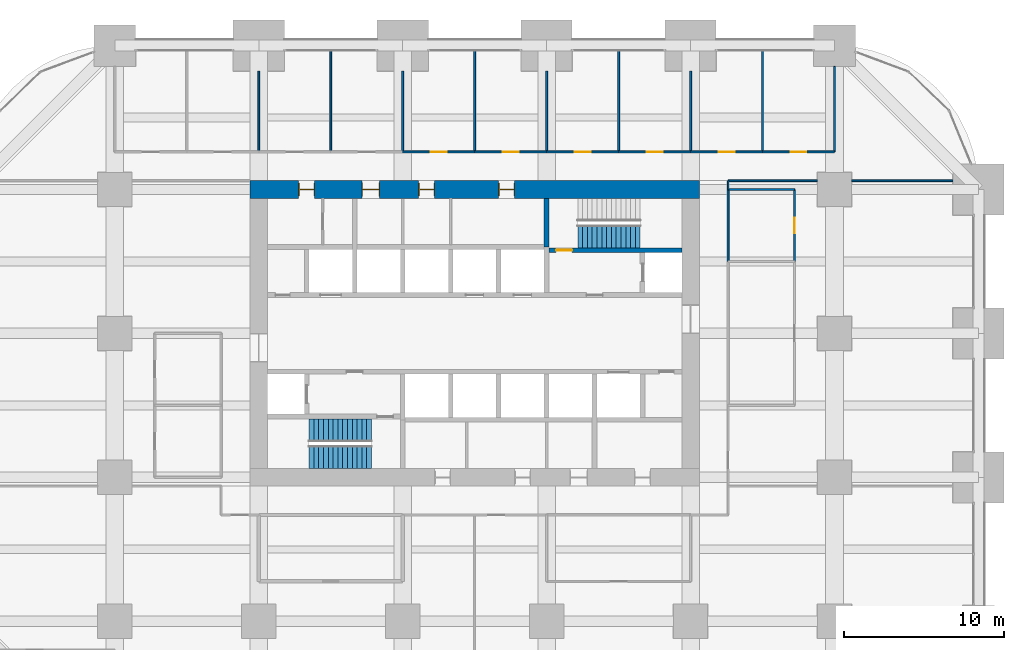
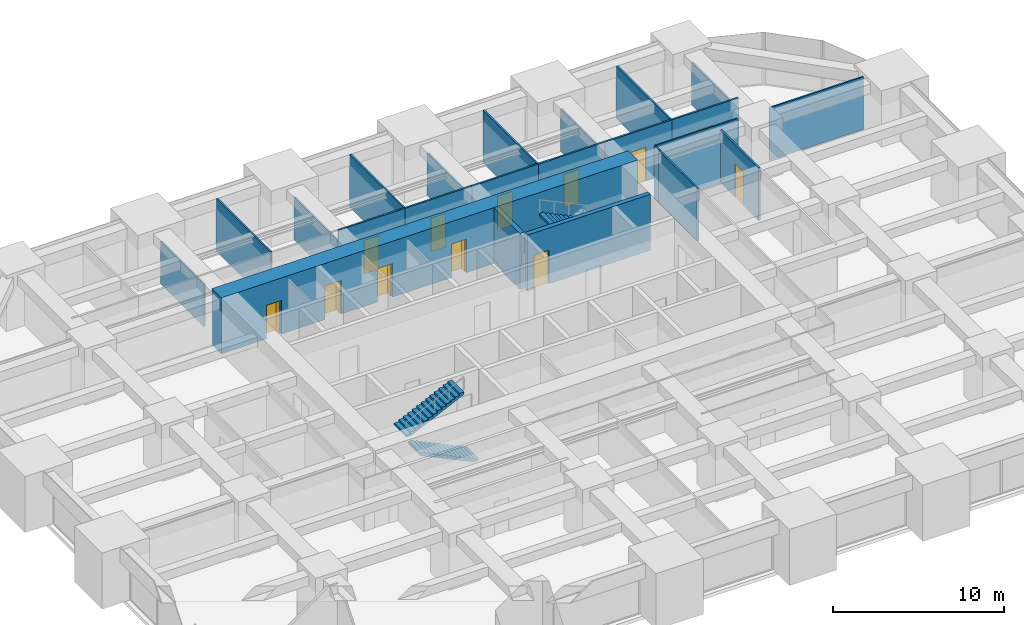
# One storey, part 39 of 41: 24 walls, 12 doors, 3 stair flights, 12 openings, 2 elements without a shape of their own.
"""IFC4 building model written with IfcOpenShell, lengths in metres."""

from ifc_helpers import new_model, si_unit, direction, frame, frame_2d, origin, place, context, subcontext, project, spatial, polyline, rectangle, outline, extrude, material, layer, layer_set, type_object, element, fill, aggregate, save


model = new_model("IFC4")

# Units and contexts
model_context = context("Model", 3, precision=1e-05, world=origin(), true_north=direction((0.0, 1.0)))
body_context = subcontext(model_context, "Body", "Model", "MODEL_VIEW")
ifc_project = project(units=[si_unit("LENGTHUNIT", "METRE"), si_unit("AREAUNIT", "SQUARE_METRE"), si_unit("VOLUMEUNIT", "CUBIC_METRE"), si_unit("PLANEANGLEUNIT", "RADIAN"), si_unit("MASSUNIT", "GRAM", prefix="KILO")], contexts=[model_context])

# Site, building, storey
site_placement = place(None, origin())
site = spatial("IfcSite", under=ifc_project, at=site_placement, CompositionType="ELEMENT")
building_placement = place(site_placement, origin())
building = spatial("IfcBuilding", under=site, at=building_placement, Name="Zorevar Civic Tower", CompositionType="ELEMENT")
storey_placement = place(building_placement, frame((0.0, 0.0, 89.0)))
storey = spatial("IfcBuildingStorey", under=building, at=storey_placement, Name="L21", CompositionType="ELEMENT", Elevation=89.0)

# Wall, openings, doors
ifc_material_1 = material(Name="Concrete C50/60", Category="concrete")
ifc_layer_1 = layer(ifc_material_1, 1.10009765625)
ifc_layer_set_1 = layer_set([ifc_layer_1], Name="Core wall 1100")
wall_type_1 = type_object("IfcWallType", Name="Core wall 1100", PredefinedType="SHEAR", material=ifc_layer_set_1)
wall_1_placement = place(storey_placement, frame((45.550048828125, 36.0, 0.0), z_axis=(0.0, 0.0, 1.0), x_axis=(-1.0, 0.0, 0.0)))
wall_1 = element("IfcWall", 1, at=wall_1_placement, inside=storey, type_object=wall_type_1, Name="Core wall N L21", PredefinedType="SHEAR", context=body_context, shape_type="SweptSolid", body=[
    extrude(rectangle(XDim=28.10009765625, YDim=1.10009765625, at=frame_2d((14.050048828125, 0.0))), origin(), (0.0, 0.0, 1.0), 4.0),
])
opening_1_placement = place(wall_1_placement, frame((11.550048828125, 0.0, 0.0)))
opening_1 = element("IfcOpeningElement", 2, at=opening_1_placement, cuts=wall_1, Name="Opening L21.07", PredefinedType="OPENING", context=body_context, shape_type="SweptSolid", body=[
    extrude(rectangle(XDim=1.0, YDim=2.39990234375, at=frame_2d((0.5, 1.199951171875))), frame((0.0, 0.56005859375, 0.0), z_axis=(0.0, -1.0, 0.0), x_axis=(1.0, 0.0, 0.0)), (0.0, 0.0, 1.0), 1.1201171875),
])
opening_2_placement = place(wall_1_placement, frame((16.550048828125, 0.0, 0.0)))
opening_2 = element("IfcOpeningElement", 3, at=opening_2_placement, cuts=wall_1, Name="Opening L21.08", PredefinedType="OPENING", context=body_context, shape_type="SweptSolid", body=[
    extrude(rectangle(XDim=1.0, YDim=2.39990234375, at=frame_2d((0.5, 1.199951171875))), frame((0.0, 0.56005859375, 0.0), z_axis=(0.0, -1.0, 0.0), x_axis=(1.0, 0.0, 0.0)), (0.0, 0.0, 1.0), 1.1201171875),
])
opening_3_placement = place(wall_1_placement, frame((20.0, 0.0, 0.0)))
opening_3 = element("IfcOpeningElement", 4, at=opening_3_placement, cuts=wall_1, Name="Opening L21.09", PredefinedType="OPENING", context=body_context, shape_type="SweptSolid", body=[
    extrude(rectangle(XDim=1.10009765625, YDim=2.39990234375, at=frame_2d((0.550048828125, 1.199951171875))), frame((0.0, 0.56005859375, 0.0), z_axis=(0.0, -1.0, 0.0), x_axis=(1.0, 0.0, 0.0)), (0.0, 0.0, 1.0), 1.1201171875),
])
opening_4_placement = place(wall_1_placement, frame((24.050048828125, 0.0, 0.0)))
opening_4 = element("IfcOpeningElement", 5, at=opening_4_placement, cuts=wall_1, Name="Opening L21.10", PredefinedType="OPENING", context=body_context, shape_type="SweptSolid", body=[
    extrude(rectangle(XDim=1.0, YDim=2.39990234375, at=frame_2d((0.5, 1.199951171875))), frame((0.0, 0.56005859375, 0.0), z_axis=(0.0, -1.0, 0.0), x_axis=(1.0, 0.0, 0.0)), (0.0, 0.0, 1.0), 1.1201171875),
])
ifc_material_2 = material(Name="Timber door set", Category="wood")
door_type_1 = type_object("IfcDoorType", Name="Door D1 1000x2400", OperationType="SINGLE_SWING_LEFT", PredefinedType="DOOR", material=ifc_material_2)
door_1_placement = place(opening_1_placement, origin())
door_1 = element("IfcDoor", 6, at=door_1_placement, inside=storey, type_object=door_type_1, Name="Door L21 06", OperationType="SINGLE_SWING_LEFT", OverallHeight=2.39990234375, OverallWidth=1.0, PredefinedType="DOOR", context=body_context, shape_type="SweptSolid", body=[
    extrude(rectangle(XDim=1.0, YDim=2.39990234375, at=frame_2d((0.5, 1.199951171875))), frame((0.0, 0.02490234375, 0.0), z_axis=(0.0, -1.0, 0.0), x_axis=(1.0, 0.0, 0.0)), (0.0, 0.0, 1.0), 0.050048828125),
    extrude(rectangle(XDim=0.04, YDim=2.39990234375, at=frame_2d((0.02001953125, 1.199951171875))), frame((0.0, 0.39990234375, 0.0), z_axis=(0.0, -1.0, 0.0), x_axis=(1.0, 0.0, 0.0)), (0.0, 0.0, 1.0), 0.800048828125),
    extrude(rectangle(XDim=0.04, YDim=2.39990234375, at=frame_2d((0.97998046875, 1.199951171875))), frame((0.0, 0.39990234375, 0.0), z_axis=(0.0, -1.0, 0.0), x_axis=(1.0, 0.0, 0.0)), (0.0, 0.0, 1.0), 0.800048828125),
    extrude(rectangle(XDim=1.0, YDim=0.04, at=frame_2d((0.5, 2.3798828125))), frame((0.0, 0.39990234375, 0.0), z_axis=(0.0, -1.0, 0.0), x_axis=(1.0, 0.0, 0.0)), (0.0, 0.0, 1.0), 0.800048828125),
])
fill(opening_1, door_1)
door_2_placement = place(opening_2_placement, origin())
door_2 = element("IfcDoor", 7, at=door_2_placement, inside=storey, type_object=door_type_1, Name="Door L21 07", OperationType="SINGLE_SWING_RIGHT", OverallHeight=2.39990234375, OverallWidth=1.0, PredefinedType="DOOR", context=body_context, shape_type="SweptSolid", body=[
    extrude(rectangle(XDim=1.0, YDim=2.39990234375, at=frame_2d((0.5, 1.199951171875))), frame((0.0, 0.02490234375, 0.0), z_axis=(0.0, -1.0, 0.0), x_axis=(1.0, 0.0, 0.0)), (0.0, 0.0, 1.0), 0.050048828125),
    extrude(rectangle(XDim=0.04, YDim=2.39990234375, at=frame_2d((0.02001953125, 1.199951171875))), frame((0.0, 0.39990234375, 0.0), z_axis=(0.0, -1.0, 0.0), x_axis=(1.0, 0.0, 0.0)), (0.0, 0.0, 1.0), 0.800048828125),
    extrude(rectangle(XDim=0.04, YDim=2.39990234375, at=frame_2d((0.97998046875, 1.199951171875))), frame((0.0, 0.39990234375, 0.0), z_axis=(0.0, -1.0, 0.0), x_axis=(1.0, 0.0, 0.0)), (0.0, 0.0, 1.0), 0.800048828125),
    extrude(rectangle(XDim=1.0, YDim=0.04, at=frame_2d((0.5, 2.3798828125))), frame((0.0, 0.39990234375, 0.0), z_axis=(0.0, -1.0, 0.0), x_axis=(1.0, 0.0, 0.0)), (0.0, 0.0, 1.0), 0.800048828125),
])
fill(opening_2, door_2)
door_3_placement = place(opening_4_placement, origin())
door_3 = element("IfcDoor", 8, at=door_3_placement, inside=storey, type_object=door_type_1, Name="Door L21 09", OperationType="SINGLE_SWING_RIGHT", OverallHeight=2.39990234375, OverallWidth=1.0, PredefinedType="DOOR", context=body_context, shape_type="SweptSolid", body=[
    extrude(rectangle(XDim=1.0, YDim=2.39990234375, at=frame_2d((0.5, 1.199951171875))), frame((0.0, 0.02490234375, 0.0), z_axis=(0.0, -1.0, 0.0), x_axis=(1.0, 0.0, 0.0)), (0.0, 0.0, 1.0), 0.050048828125),
    extrude(rectangle(XDim=0.04, YDim=2.39990234375, at=frame_2d((0.02001953125, 1.199951171875))), frame((0.0, 0.39990234375, 0.0), z_axis=(0.0, -1.0, 0.0), x_axis=(1.0, 0.0, 0.0)), (0.0, 0.0, 1.0), 0.800048828125),
    extrude(rectangle(XDim=0.04, YDim=2.39990234375, at=frame_2d((0.97998046875, 1.199951171875))), frame((0.0, 0.39990234375, 0.0), z_axis=(0.0, -1.0, 0.0), x_axis=(1.0, 0.0, 0.0)), (0.0, 0.0, 1.0), 0.800048828125),
    extrude(rectangle(XDim=1.0, YDim=0.04, at=frame_2d((0.5, 2.3798828125))), frame((0.0, 0.39990234375, 0.0), z_axis=(0.0, -1.0, 0.0), x_axis=(1.0, 0.0, 0.0)), (0.0, 0.0, 1.0), 0.800048828125),
])
fill(opening_4, door_3)
ifc_material_3 = material(Name="Timber door set", Category="wood")
door_type_2 = type_object("IfcDoorType", Name="Door D5 1100x2400", OperationType="SINGLE_SWING_LEFT", PredefinedType="DOOR", material=ifc_material_3)
door_4_placement = place(opening_3_placement, origin())
door_4 = element("IfcDoor", 9, at=door_4_placement, inside=storey, type_object=door_type_2, Name="Door L21 08", OperationType="SINGLE_SWING_RIGHT", OverallHeight=2.39990234375, OverallWidth=1.10009765625, PredefinedType="DOOR", context=body_context, shape_type="SweptSolid", body=[
    extrude(rectangle(XDim=1.10009765625, YDim=2.39990234375, at=frame_2d((0.550048828125, 1.199951171875))), frame((0.0, 0.02490234375, 0.0), z_axis=(0.0, -1.0, 0.0), x_axis=(1.0, 0.0, 0.0)), (0.0, 0.0, 1.0), 0.050048828125),
    extrude(rectangle(XDim=0.04, YDim=2.39990234375, at=frame_2d((0.02001953125, 1.199951171875))), frame((0.0, 0.43994140625, 0.0), z_axis=(0.0, -1.0, 0.0), x_axis=(1.0, 0.0, 0.0)), (0.0, 0.0, 1.0), 0.880126953125),
    extrude(rectangle(XDim=0.04, YDim=2.39990234375, at=frame_2d((1.080078125, 1.199951171875))), frame((0.0, 0.43994140625, 0.0), z_axis=(0.0, -1.0, 0.0), x_axis=(1.0, 0.0, 0.0)), (0.0, 0.0, 1.0), 0.880126953125),
    extrude(rectangle(XDim=1.10009765625, YDim=0.04, at=frame_2d((0.550048828125, 2.3798828125))), frame((0.0, 0.43994140625, 0.0), z_axis=(0.0, -1.0, 0.0), x_axis=(1.0, 0.0, 0.0)), (0.0, 0.0, 1.0), 0.880126953125),
])
fill(opening_3, door_4)

# Walls
ifc_material_4 = material(Name="Laminated glass in black aluminium frame", Category="aluminium")
ifc_layer_2 = layer(ifc_material_4, 0.10009765625)
ifc_layer_set_2 = layer_set([ifc_layer_2], Name="Glazed partition 100")
wall_type_2 = type_object("IfcWallType", Name="Glazed partition 100", PredefinedType="PARTITIONING", material=ifc_layer_set_2)
wall_2_placement = place(storey_placement, frame((47.35009765625, 36.550048828125, 0.0), z_axis=(0.0, 0.0, 1.0), x_axis=(1.0, 0.0, 0.0)))
element("IfcWall", 10, at=wall_2_placement, inside=storey, type_object=wall_type_2, Name="Glazed partition 100 L21", PredefinedType="PARTITIONING", context=body_context, shape_type="SweptSolid", body=[
    extrude(rectangle(XDim=5.574951171875, YDim=0.10009765625, at=frame_2d((2.78759765625, 0.0))), origin(), (0.0, 0.0, 1.0), 3.75),
])
wall_3_placement = place(storey_placement, frame((55.074951171875, 36.550048828125, 0.0), z_axis=(0.0, 0.0, 1.0), x_axis=(1.0, 0.0, 0.0)))
element("IfcWall", 11, at=wall_3_placement, inside=storey, type_object=wall_type_2, Name="Glazed partition 100 L21", PredefinedType="PARTITIONING", context=body_context, shape_type="SweptSolid", body=[
    extrude(rectangle(XDim=6.324951171875, YDim=0.10009765625, at=frame_2d((3.16259765625, 0.0))), origin(), (0.0, 0.0, 1.0), 3.75),
])
wall_4_placement = place(storey_placement, frame((47.35009765625, 36.0, 0.0), z_axis=(0.0, 0.0, 1.0), x_axis=(0.0, 1.0, 0.0)))
element("IfcWall", 12, at=wall_4_placement, inside=storey, type_object=wall_type_2, Name="Glazed partition 100 L21", PredefinedType="PARTITIONING", context=body_context, shape_type="SweptSolid", body=[
    extrude(rectangle(XDim=0.550048828125, YDim=0.10009765625, at=frame_2d((0.27490234375, 0.0))), origin(), (0.0, 0.0, 1.0), 3.75),
])

# Wall, opening, door
ifc_material_5 = material(Name="Concrete C40/50", Category="concrete")
ifc_layer_3 = layer(ifc_material_5, 0.300048828125)
ifc_layer_set_3 = layer_set([ifc_layer_3], Name="Inner core wall 300")
wall_type_3 = type_object("IfcWallType", Name="Inner core wall 300", PredefinedType="SHEAR", material=ifc_layer_set_3)
wall_5_placement = place(storey_placement, frame((36.14990234375, 32.199951171875, 0.0), z_axis=(0.0, 0.0, 1.0), x_axis=(1.0, 0.0, 0.0)))
wall_5 = element("IfcWall", 13, at=wall_5_placement, inside=storey, type_object=wall_type_3, Name="Inner core wall N00 L21", PredefinedType="SHEAR", context=body_context, shape_type="SweptSolid", body=[
    extrude(rectangle(XDim=8.300048828125, YDim=0.300048828125, at=frame_2d((4.14990234375, 0.0))), origin(), (0.0, 0.0, 1.0), 4.0),
])
opening_5_placement = place(wall_5_placement, frame((0.449951171875, 0.0, 0.0)))
opening_5 = element("IfcOpeningElement", 14, at=opening_5_placement, cuts=wall_5, Name="Opening L21.12", PredefinedType="OPENING", context=body_context, shape_type="SweptSolid", body=[
    extrude(rectangle(XDim=1.0, YDim=2.39990234375, at=frame_2d((0.5, 1.199951171875))), frame((0.0, 0.159912109375, 0.0), z_axis=(0.0, -1.0, 0.0), x_axis=(1.0, 0.0, 0.0)), (0.0, 0.0, 1.0), 0.320068359375),
])
ifc_material_6 = material(Name="Steel door set", Category="steel")
door_type_3 = type_object("IfcDoorType", Name="Fire door FD1 1000x2400", OperationType="SINGLE_SWING_LEFT", PredefinedType="DOOR", material=ifc_material_6)
door_5_placement = place(opening_5_placement, origin())
door_5 = element("IfcDoor", 15, at=door_5_placement, inside=storey, type_object=door_type_3, Name="Door L21 11", OperationType="SINGLE_SWING_RIGHT", OverallHeight=2.39990234375, OverallWidth=1.0, PredefinedType="DOOR", context=body_context, shape_type="SweptSolid", body=[
    extrude(rectangle(XDim=1.0, YDim=2.39990234375, at=frame_2d((0.5, 1.199951171875))), frame((0.0, 0.030029296875, 0.0), z_axis=(0.0, -1.0, 0.0), x_axis=(1.0, 0.0, 0.0)), (0.0, 0.0, 1.0), 0.06005859375),
])
fill(opening_5, door_5)

# Walls
wall_6_placement = place(storey_placement, frame((36.0, 32.39990234375, 0.0), z_axis=(0.0, 0.0, 1.0), x_axis=(0.0, 1.0, 0.0)))
element("IfcWall", 16, at=wall_6_placement, inside=storey, type_object=wall_type_3, Name="Inner core wall N01 L21", PredefinedType="SHEAR", context=body_context, shape_type="SweptSolid", body=[
    extrude(rectangle(XDim=3.050048828125, YDim=0.300048828125, at=frame_2d((1.52490234375, 0.0))), origin(), (0.0, 0.0, 1.0), 4.0),
])
ifc_material_7 = material(Name="Gypsum board on steel studs", Category="steel")
ifc_layer_4 = layer(ifc_material_7, 0.1201171875)
ifc_layer_set_4 = layer_set([ifc_layer_4], Name="Partition 120")
wall_type_4 = type_object("IfcWallType", Name="Partition 120", PredefinedType="PARTITIONING", material=ifc_layer_set_4)
wall_7_placement = place(storey_placement, frame((47.35009765625, 36.0, 0.0), z_axis=(0.0, 0.0, 1.0), x_axis=(1.0, 0.0, 0.0)))
element("IfcWall", 17, at=wall_7_placement, inside=storey, type_object=wall_type_4, Name="Partition 120 L21", PredefinedType="PARTITIONING", context=body_context, shape_type="SweptSolid", body=[
    extrude(rectangle(XDim=4.14990234375, YDim=0.1201171875, at=frame_2d((2.074951171875, 0.0))), origin(), (0.0, 0.0, 1.0), 3.050048828125),
])

# Wall, opening, door
wall_8_placement = place(storey_placement, frame((27.0, 38.35009765625, 0.0), z_axis=(0.0, 0.0, 1.0), x_axis=(1.0, 0.0, 0.0)))
wall_8 = element("IfcWall", 18, at=wall_8_placement, inside=storey, type_object=wall_type_4, Name="Partition 120 L21", PredefinedType="PARTITIONING", context=body_context, shape_type="SweptSolid", body=[
    extrude(rectangle(XDim=4.5, YDim=0.1201171875, at=frame_2d((2.25, 0.0))), origin(), (0.0, 0.0, 1.0), 3.75),
])
opening_6_placement = place(wall_8_placement, frame((1.75, 0.0, 0.0)))
opening_6 = element("IfcOpeningElement", 19, at=opening_6_placement, cuts=wall_8, Name="Opening L21.26", PredefinedType="OPENING", context=body_context, shape_type="SweptSolid", body=[
    extrude(rectangle(XDim=1.0, YDim=2.39990234375, at=frame_2d((0.5, 1.199951171875))), frame((0.0, 0.070068359375, 0.0), z_axis=(0.0, -1.0, 0.0), x_axis=(1.0, 0.0, 0.0)), (0.0, 0.0, 1.0), 0.14013671875),
])
door_6_placement = place(opening_6_placement, origin())
door_6 = element("IfcDoor", 20, at=door_6_placement, inside=storey, type_object=door_type_1, Name="Door L21 D1", OperationType="SINGLE_SWING_LEFT", OverallHeight=2.39990234375, OverallWidth=1.0, PredefinedType="DOOR", context=body_context, shape_type="SweptSolid", body=[
    extrude(rectangle(XDim=1.0, YDim=2.39990234375, at=frame_2d((0.5, 1.199951171875))), frame((0.0, 0.02490234375, 0.0), z_axis=(0.0, -1.0, 0.0), x_axis=(1.0, 0.0, 0.0)), (0.0, 0.0, 1.0), 0.050048828125),
])
fill(opening_6, door_6)

wall_9_placement = place(storey_placement, frame((31.5, 38.35009765625, 0.0), z_axis=(0.0, 0.0, 1.0), x_axis=(1.0, 0.0, 0.0)))
wall_9 = element("IfcWall", 21, at=wall_9_placement, inside=storey, type_object=wall_type_4, Name="Partition 120 L21", PredefinedType="PARTITIONING", context=body_context, shape_type="SweptSolid", body=[
    extrude(rectangle(XDim=4.5, YDim=0.1201171875, at=frame_2d((2.25, 0.0))), origin(), (0.0, 0.0, 1.0), 3.75),
])
opening_7_placement = place(wall_9_placement, frame((1.75, 0.0, 0.0)))
opening_7 = element("IfcOpeningElement", 22, at=opening_7_placement, cuts=wall_9, Name="Opening L21.27", PredefinedType="OPENING", context=body_context, shape_type="SweptSolid", body=[
    extrude(rectangle(XDim=1.0, YDim=2.39990234375, at=frame_2d((0.5, 1.199951171875))), frame((0.0, 0.070068359375, 0.0), z_axis=(0.0, -1.0, 0.0), x_axis=(1.0, 0.0, 0.0)), (0.0, 0.0, 1.0), 0.14013671875),
])
door_7_placement = place(opening_7_placement, origin())
door_7 = element("IfcDoor", 23, at=door_7_placement, inside=storey, type_object=door_type_1, Name="Door L21 D1", OperationType="SINGLE_SWING_RIGHT", OverallHeight=2.39990234375, OverallWidth=1.0, PredefinedType="DOOR", context=body_context, shape_type="SweptSolid", body=[
    extrude(rectangle(XDim=1.0, YDim=2.39990234375, at=frame_2d((0.5, 1.199951171875))), frame((0.0, 0.02490234375, 0.0), z_axis=(0.0, -1.0, 0.0), x_axis=(1.0, 0.0, 0.0)), (0.0, 0.0, 1.0), 0.050048828125),
])
fill(opening_7, door_7)

wall_10_placement = place(storey_placement, frame((36.0, 38.35009765625, 0.0), z_axis=(0.0, 0.0, 1.0), x_axis=(1.0, 0.0, 0.0)))
wall_10 = element("IfcWall", 24, at=wall_10_placement, inside=storey, type_object=wall_type_4, Name="Partition 120 L21", PredefinedType="PARTITIONING", context=body_context, shape_type="SweptSolid", body=[
    extrude(rectangle(XDim=4.5, YDim=0.1201171875, at=frame_2d((2.25, 0.0))), origin(), (0.0, 0.0, 1.0), 3.75),
])
opening_8_placement = place(wall_10_placement, frame((1.75, 0.0, 0.0)))
opening_8 = element("IfcOpeningElement", 25, at=opening_8_placement, cuts=wall_10, Name="Opening L21.28", PredefinedType="OPENING", context=body_context, shape_type="SweptSolid", body=[
    extrude(rectangle(XDim=1.0, YDim=2.39990234375, at=frame_2d((0.5, 1.199951171875))), frame((0.0, 0.070068359375, 0.0), z_axis=(0.0, -1.0, 0.0), x_axis=(1.0, 0.0, 0.0)), (0.0, 0.0, 1.0), 0.14013671875),
])
door_8_placement = place(opening_8_placement, origin())
door_8 = element("IfcDoor", 26, at=door_8_placement, inside=storey, type_object=door_type_1, Name="Door L21 D1", OperationType="SINGLE_SWING_RIGHT", OverallHeight=2.39990234375, OverallWidth=1.0, PredefinedType="DOOR", context=body_context, shape_type="SweptSolid", body=[
    extrude(rectangle(XDim=1.0, YDim=2.39990234375, at=frame_2d((0.5, 1.199951171875))), frame((0.0, 0.02490234375, 0.0), z_axis=(0.0, -1.0, 0.0), x_axis=(1.0, 0.0, 0.0)), (0.0, 0.0, 1.0), 0.050048828125),
])
fill(opening_8, door_8)

wall_11_placement = place(storey_placement, frame((40.5, 38.35009765625, 0.0), z_axis=(0.0, 0.0, 1.0), x_axis=(1.0, 0.0, 0.0)))
wall_11 = element("IfcWall", 27, at=wall_11_placement, inside=storey, type_object=wall_type_4, Name="Partition 120 L21", PredefinedType="PARTITIONING", context=body_context, shape_type="SweptSolid", body=[
    extrude(rectangle(XDim=4.5, YDim=0.1201171875, at=frame_2d((2.25, 0.0))), origin(), (0.0, 0.0, 1.0), 3.75),
])
opening_9_placement = place(wall_11_placement, frame((1.75, 0.0, 0.0)))
opening_9 = element("IfcOpeningElement", 28, at=opening_9_placement, cuts=wall_11, Name="Opening L21.29", PredefinedType="OPENING", context=body_context, shape_type="SweptSolid", body=[
    extrude(rectangle(XDim=1.0, YDim=2.39990234375, at=frame_2d((0.5, 1.199951171875))), frame((0.0, 0.070068359375, 0.0), z_axis=(0.0, -1.0, 0.0), x_axis=(1.0, 0.0, 0.0)), (0.0, 0.0, 1.0), 0.14013671875),
])
door_9_placement = place(opening_9_placement, origin())
door_9 = element("IfcDoor", 29, at=door_9_placement, inside=storey, type_object=door_type_1, Name="Door L21 D1", OperationType="SINGLE_SWING_RIGHT", OverallHeight=2.39990234375, OverallWidth=1.0, PredefinedType="DOOR", context=body_context, shape_type="SweptSolid", body=[
    extrude(rectangle(XDim=1.0, YDim=2.39990234375, at=frame_2d((0.5, 1.199951171875))), frame((0.0, 0.02490234375, 0.0), z_axis=(0.0, -1.0, 0.0), x_axis=(1.0, 0.0, 0.0)), (0.0, 0.0, 1.0), 0.050048828125),
])
fill(opening_9, door_9)

wall_12_placement = place(storey_placement, frame((45.0, 38.35009765625, 0.0), z_axis=(0.0, 0.0, 1.0), x_axis=(1.0, 0.0, 0.0)))
wall_12 = element("IfcWall", 30, at=wall_12_placement, inside=storey, type_object=wall_type_4, Name="Partition 120 L21", PredefinedType="PARTITIONING", context=body_context, shape_type="SweptSolid", body=[
    extrude(rectangle(XDim=4.5, YDim=0.1201171875, at=frame_2d((2.25, 0.0))), origin(), (0.0, 0.0, 1.0), 3.75),
])
opening_10_placement = place(wall_12_placement, frame((1.75, 0.0, 0.0)))
opening_10 = element("IfcOpeningElement", 31, at=opening_10_placement, cuts=wall_12, Name="Opening L21.30", PredefinedType="OPENING", context=body_context, shape_type="SweptSolid", body=[
    extrude(rectangle(XDim=1.0, YDim=2.39990234375, at=frame_2d((0.5, 1.199951171875))), frame((0.0, 0.070068359375, 0.0), z_axis=(0.0, -1.0, 0.0), x_axis=(1.0, 0.0, 0.0)), (0.0, 0.0, 1.0), 0.14013671875),
])
door_10_placement = place(opening_10_placement, origin())
door_10 = element("IfcDoor", 32, at=door_10_placement, inside=storey, type_object=door_type_1, Name="Door L21 D1", OperationType="SINGLE_SWING_RIGHT", OverallHeight=2.39990234375, OverallWidth=1.0, PredefinedType="DOOR", context=body_context, shape_type="SweptSolid", body=[
    extrude(rectangle(XDim=1.0, YDim=2.39990234375, at=frame_2d((0.5, 1.199951171875))), frame((0.0, 0.02490234375, 0.0), z_axis=(0.0, -1.0, 0.0), x_axis=(1.0, 0.0, 0.0)), (0.0, 0.0, 1.0), 0.050048828125),
])
fill(opening_10, door_10)

wall_13_placement = place(storey_placement, frame((49.5, 38.35009765625, 0.0), z_axis=(0.0, 0.0, 1.0), x_axis=(1.0, 0.0, 0.0)))
wall_13 = element("IfcWall", 33, at=wall_13_placement, inside=storey, type_object=wall_type_4, Name="Partition 120 L21", PredefinedType="PARTITIONING", context=body_context, shape_type="SweptSolid", body=[
    extrude(rectangle(XDim=4.5, YDim=0.1201171875, at=frame_2d((2.25, 0.0))), origin(), (0.0, 0.0, 1.0), 3.75),
])
opening_11_placement = place(wall_13_placement, frame((1.75, 0.0, 0.0)))
opening_11 = element("IfcOpeningElement", 34, at=opening_11_placement, cuts=wall_13, Name="Opening L21.31", PredefinedType="OPENING", context=body_context, shape_type="SweptSolid", body=[
    extrude(rectangle(XDim=1.0, YDim=2.39990234375, at=frame_2d((0.5, 1.199951171875))), frame((0.0, 0.070068359375, 0.0), z_axis=(0.0, -1.0, 0.0), x_axis=(1.0, 0.0, 0.0)), (0.0, 0.0, 1.0), 0.14013671875),
])
door_11_placement = place(opening_11_placement, origin())
door_11 = element("IfcDoor", 35, at=door_11_placement, inside=storey, type_object=door_type_1, Name="Door L21 D1", OperationType="SINGLE_SWING_RIGHT", OverallHeight=2.39990234375, OverallWidth=1.0, PredefinedType="DOOR", context=body_context, shape_type="SweptSolid", body=[
    extrude(rectangle(XDim=1.0, YDim=2.39990234375, at=frame_2d((0.5, 1.199951171875))), frame((0.0, 0.02490234375, 0.0), z_axis=(0.0, -1.0, 0.0), x_axis=(1.0, 0.0, 0.0)), (0.0, 0.0, 1.0), 0.050048828125),
])
fill(opening_11, door_11)

# Walls
wall_14_placement = place(storey_placement, frame((18.0, 38.35009765625, 0.0), z_axis=(0.0, 0.0, 1.0), x_axis=(0.0, 1.0, 0.0)))
element("IfcWall", 36, at=wall_14_placement, inside=storey, type_object=wall_type_4, Name="Partition 120 L21", PredefinedType="PARTITIONING", context=body_context, shape_type="SweptSolid", body=[
    extrude(rectangle(XDim=5.0498046875, YDim=0.1201171875, at=frame_2d((2.52490234375, 0.0))), origin(), (0.0, 0.0, 1.0), 3.050048828125),
])
wall_15_placement = place(storey_placement, frame((22.5, 38.35009765625, 0.0), z_axis=(0.0, 0.0, 1.0), x_axis=(0.0, 1.0, 0.0)))
element("IfcWall", 37, at=wall_15_placement, inside=storey, type_object=wall_type_4, Name="Partition 120 L21", PredefinedType="PARTITIONING", context=body_context, shape_type="SweptSolid", body=[
    extrude(rectangle(XDim=6.33984375, YDim=0.1201171875, at=frame_2d((3.169921875, 0.0))), origin(), (0.0, 0.0, 1.0), 3.75),
])
wall_16_placement = place(storey_placement, frame((27.0, 38.35009765625, 0.0), z_axis=(0.0, 0.0, 1.0), x_axis=(0.0, 1.0, 0.0)))
element("IfcWall", 38, at=wall_16_placement, inside=storey, type_object=wall_type_4, Name="Partition 120 L21", PredefinedType="PARTITIONING", context=body_context, shape_type="SweptSolid", body=[
    extrude(rectangle(XDim=5.0498046875, YDim=0.1201171875, at=frame_2d((2.52490234375, 0.0))), origin(), (0.0, 0.0, 1.0), 3.050048828125),
])
wall_17_placement = place(storey_placement, frame((31.5, 38.35009765625, 0.0), z_axis=(0.0, 0.0, 1.0), x_axis=(0.0, 1.0, 0.0)))
element("IfcWall", 39, at=wall_17_placement, inside=storey, type_object=wall_type_4, Name="Partition 120 L21", PredefinedType="PARTITIONING", context=body_context, shape_type="SweptSolid", body=[
    extrude(rectangle(XDim=6.33984375, YDim=0.1201171875, at=frame_2d((3.169921875, 0.0))), origin(), (0.0, 0.0, 1.0), 3.75),
])
wall_18_placement = place(storey_placement, frame((36.0, 38.35009765625, 0.0), z_axis=(0.0, 0.0, 1.0), x_axis=(0.0, 1.0, 0.0)))
element("IfcWall", 40, at=wall_18_placement, inside=storey, type_object=wall_type_4, Name="Partition 120 L21", PredefinedType="PARTITIONING", context=body_context, shape_type="SweptSolid", body=[
    extrude(rectangle(XDim=5.0498046875, YDim=0.1201171875, at=frame_2d((2.52490234375, 0.0))), origin(), (0.0, 0.0, 1.0), 3.050048828125),
])
wall_19_placement = place(storey_placement, frame((40.5, 38.35009765625, 0.0), z_axis=(0.0, 0.0, 1.0), x_axis=(0.0, 1.0, 0.0)))
element("IfcWall", 41, at=wall_19_placement, inside=storey, type_object=wall_type_4, Name="Partition 120 L21", PredefinedType="PARTITIONING", context=body_context, shape_type="SweptSolid", body=[
    extrude(rectangle(XDim=6.33984375, YDim=0.1201171875, at=frame_2d((3.169921875, 0.0))), origin(), (0.0, 0.0, 1.0), 3.75),
])
wall_20_placement = place(storey_placement, frame((45.0, 38.35009765625, 0.0), z_axis=(0.0, 0.0, 1.0), x_axis=(0.0, 1.0, 0.0)))
element("IfcWall", 42, at=wall_20_placement, inside=storey, type_object=wall_type_4, Name="Partition 120 L21", PredefinedType="PARTITIONING", context=body_context, shape_type="SweptSolid", body=[
    extrude(rectangle(XDim=5.0498046875, YDim=0.1201171875, at=frame_2d((2.52490234375, 0.0))), origin(), (0.0, 0.0, 1.0), 3.050048828125),
])
wall_21_placement = place(storey_placement, frame((47.35009765625, 31.5, 0.0), z_axis=(0.0, 0.0, 1.0), x_axis=(0.0, 1.0, 0.0)))
element("IfcWall", 43, at=wall_21_placement, inside=storey, type_object=wall_type_4, Name="Partition 120 L21", PredefinedType="PARTITIONING", context=body_context, shape_type="SweptSolid", body=[
    extrude(rectangle(XDim=4.5, YDim=0.1201171875, at=frame_2d((2.25, 0.0))), origin(), (0.0, 0.0, 1.0), 3.75),
])
wall_22_placement = place(storey_placement, frame((49.5, 38.35009765625, 0.0), z_axis=(0.0, 0.0, 1.0), x_axis=(0.0, 1.0, 0.0)))
element("IfcWall", 44, at=wall_22_placement, inside=storey, type_object=wall_type_4, Name="Partition 120 L21", PredefinedType="PARTITIONING", context=body_context, shape_type="SweptSolid", body=[
    extrude(rectangle(XDim=6.33984375, YDim=0.1201171875, at=frame_2d((3.169921875, 0.0))), origin(), (0.0, 0.0, 1.0), 3.75),
])

# Wall, opening, door
wall_23_placement = place(storey_placement, frame((51.5, 31.5, 0.0), z_axis=(0.0, 0.0, 1.0), x_axis=(0.0, 1.0, 0.0)))
wall_23 = element("IfcWall", 45, at=wall_23_placement, inside=storey, type_object=wall_type_4, Name="Partition 120 L21", PredefinedType="PARTITIONING", context=body_context, shape_type="SweptSolid", body=[
    extrude(rectangle(XDim=4.5, YDim=0.1201171875, at=frame_2d((2.25, 0.0))), origin(), (0.0, 0.0, 1.0), 3.75),
])
opening_12_placement = place(wall_23_placement, frame((1.75, 0.0, 0.0)))
opening_12 = element("IfcOpeningElement", 46, at=opening_12_placement, cuts=wall_23, Name="Opening L21.35", PredefinedType="OPENING", context=body_context, shape_type="SweptSolid", body=[
    extrude(rectangle(XDim=1.0, YDim=2.39990234375, at=frame_2d((0.5, 1.199951171875))), frame((0.0, 0.070068359375, 0.0), z_axis=(0.0, -1.0, 0.0), x_axis=(1.0, 0.0, 0.0)), (0.0, 0.0, 1.0), 0.14013671875),
])
door_12_placement = place(opening_12_placement, origin())
door_12 = element("IfcDoor", 47, at=door_12_placement, inside=storey, type_object=door_type_1, Name="Door L21 D1", OperationType="SINGLE_SWING_RIGHT", OverallHeight=2.39990234375, OverallWidth=1.0, PredefinedType="DOOR", context=body_context, shape_type="SweptSolid", body=[
    extrude(rectangle(XDim=1.0, YDim=2.39990234375, at=frame_2d((0.5, 1.199951171875))), frame((0.0, 0.02490234375, 0.0), z_axis=(0.0, -1.0, 0.0), x_axis=(1.0, 0.0, 0.0)), (0.0, 0.0, 1.0), 0.050048828125),
])
fill(opening_12, door_12)

# Wall
wall_24_placement = place(storey_placement, frame((54.0, 38.35009765625, 0.0), z_axis=(0.0, 0.0, 1.0), x_axis=(0.0, 1.0, 0.0)))
element("IfcWall", 48, at=wall_24_placement, inside=storey, type_object=wall_type_4, Name="Partition 120 L21", PredefinedType="PARTITIONING", context=body_context, shape_type="SweptSolid", body=[
    extrude(rectangle(XDim=5.349853515625, YDim=0.1201171875, at=frame_2d((2.6748046875, 0.0))), origin(), (0.0, 0.0, 1.0), 3.050048828125),
])

# Stair, stair flights
ifc_material_8 = material(Name="Precast concrete C40/50", Category="concrete")
stair_type = type_object("IfcStairType", Name="Stair ST 28R", PredefinedType="HALF_TURN_STAIR", material=ifc_material_8)
stair_1_placement = place(storey_placement, origin())
stair_1 = element("IfcStair", 49, at=stair_1_placement, inside=storey, type_object=stair_type, Name="Stair ST1 L21", PredefinedType="HALF_TURN_STAIR")
ifc_material_9 = material(Name="Precast concrete C40/50", Category="concrete")
stair_flight_type = type_object("IfcStairFlightType", Name="Stair flight", PredefinedType="STRAIGHT", material=ifc_material_9)
stair_flight_1_placement = place(storey_placement, frame((25.050048828125, 19.262451171875, 0.0), z_axis=(0.0, 0.0, 1.0), x_axis=(-1.0, 0.0, 0.0)))
stair_flight_1 = element("IfcStairFlight", 50, at=stair_flight_1_placement, type_object=stair_flight_type, Name="ST1 flight 1", NumberOfRisers=14, NumberOfTreads=13, PredefinedType="STRAIGHT", RiserHeight=0.142857143, TreadLength=0.3, context=body_context, shape_type="SweptSolid", body=[
    extrude(outline(polyline([(0.0, 0.0), (0.0, 0.142822265625), (0.300048828125, 0.142822265625), (0.300048828125, 0.28564453125), (0.60009765625, 0.28564453125), (0.60009765625, 0.428466796875), (0.89990234375, 0.428466796875), (0.89990234375, 0.571533203125), (1.199951171875, 0.571533203125), (1.199951171875, 0.71435546875), (1.5, 0.71435546875), (1.5, 0.857177734375), (1.800048828125, 0.857177734375), (1.800048828125, 1.0), (2.10009765625, 1.0), (2.10009765625, 1.142822265625), (2.39990234375, 1.142822265625), (2.39990234375, 1.28564453125), (2.699951171875, 1.28564453125), (2.699951171875, 1.428466796875), (3.0, 1.428466796875), (3.0, 1.571533203125), (3.300048828125, 1.571533203125), (3.300048828125, 1.71435546875), (3.60009765625, 1.71435546875), (3.60009765625, 1.857177734375), (3.89990234375, 1.857177734375), (3.89990234375, 2.0), (3.89990234375, 1.691162109375), (0.3486328125, 0.0), (0.0, 0.0)])), frame((0.0, 0.71240234375, 0.0), z_axis=(0.0, -1.0, 0.0), x_axis=(1.0, 0.0, 0.0)), (0.0, 0.0, 1.0), 1.425048828125),
])
stair_flight_2_placement = place(storey_placement, frame((21.14990234375, 20.9375, 2.0), z_axis=(0.0, 0.0, 1.0), x_axis=(1.0, 0.0, 0.0)))
stair_flight_2 = element("IfcStairFlight", 51, at=stair_flight_2_placement, type_object=stair_flight_type, Name="ST1 flight 2", NumberOfRisers=14, NumberOfTreads=13, PredefinedType="STRAIGHT", RiserHeight=0.142857143, TreadLength=0.3, context=body_context, shape_type="SweptSolid", body=[
    extrude(outline(polyline([(0.0, 0.0), (0.0, 0.142822265625), (0.300048828125, 0.142822265625), (0.300048828125, 0.28564453125), (0.60009765625, 0.28564453125), (0.60009765625, 0.428466796875), (0.89990234375, 0.428466796875), (0.89990234375, 0.571533203125), (1.199951171875, 0.571533203125), (1.199951171875, 0.71435546875), (1.5, 0.71435546875), (1.5, 0.857177734375), (1.800048828125, 0.857177734375), (1.800048828125, 1.0), (2.10009765625, 1.0), (2.10009765625, 1.142822265625), (2.39990234375, 1.142822265625), (2.39990234375, 1.28564453125), (2.699951171875, 1.28564453125), (2.699951171875, 1.428466796875), (3.0, 1.428466796875), (3.0, 1.571533203125), (3.300048828125, 1.571533203125), (3.300048828125, 1.71435546875), (3.60009765625, 1.71435546875), (3.60009765625, 1.857177734375), (3.89990234375, 1.857177734375), (3.89990234375, 2.0), (3.89990234375, 1.691162109375), (0.3486328125, 0.0), (0.0, 0.0)])), frame((0.0, 0.71240234375, 0.0), z_axis=(0.0, -1.0, 0.0), x_axis=(1.0, 0.0, 0.0)), (0.0, 0.0, 1.0), 1.425048828125),
])
aggregate(stair_1, [stair_flight_1, stair_flight_2])

# Stair, stair flight
stair_2_placement = place(storey_placement, origin())
stair_2 = element("IfcStair", 52, at=stair_2_placement, inside=storey, type_object=stair_type, Name="Stair ST2 L21", PredefinedType="HALF_TURN_STAIR")
stair_flight_3_placement = place(storey_placement, frame((41.85009765625, 33.0625, 2.0), z_axis=(0.0, 0.0, 1.0), x_axis=(-1.0, 0.0, 0.0)))
stair_flight_3 = element("IfcStairFlight", 53, at=stair_flight_3_placement, type_object=stair_flight_type, Name="ST2 flight 2", NumberOfRisers=14, NumberOfTreads=13, PredefinedType="STRAIGHT", RiserHeight=0.142857143, TreadLength=0.3, context=body_context, shape_type="SweptSolid", body=[
    extrude(outline(polyline([(0.0, 0.0), (0.0, 0.142822265625), (0.300048828125, 0.142822265625), (0.300048828125, 0.28564453125), (0.60009765625, 0.28564453125), (0.60009765625, 0.428466796875), (0.89990234375, 0.428466796875), (0.89990234375, 0.571533203125), (1.199951171875, 0.571533203125), (1.199951171875, 0.71435546875), (1.5, 0.71435546875), (1.5, 0.857177734375), (1.800048828125, 0.857177734375), (1.800048828125, 1.0), (2.10009765625, 1.0), (2.10009765625, 1.142822265625), (2.39990234375, 1.142822265625), (2.39990234375, 1.28564453125), (2.699951171875, 1.28564453125), (2.699951171875, 1.428466796875), (3.0, 1.428466796875), (3.0, 1.571533203125), (3.300048828125, 1.571533203125), (3.300048828125, 1.71435546875), (3.60009765625, 1.71435546875), (3.60009765625, 1.857177734375), (3.89990234375, 1.857177734375), (3.89990234375, 2.0), (3.89990234375, 1.691162109375), (0.3486328125, 0.0), (0.0, 0.0)])), frame((0.0, 0.71240234375, 0.0), z_axis=(0.0, -1.0, 0.0), x_axis=(1.0, 0.0, 0.0)), (0.0, 0.0, 1.0), 1.425048828125),
])
aggregate(stair_2, [stair_flight_3])

save(model, "model.ifc")
